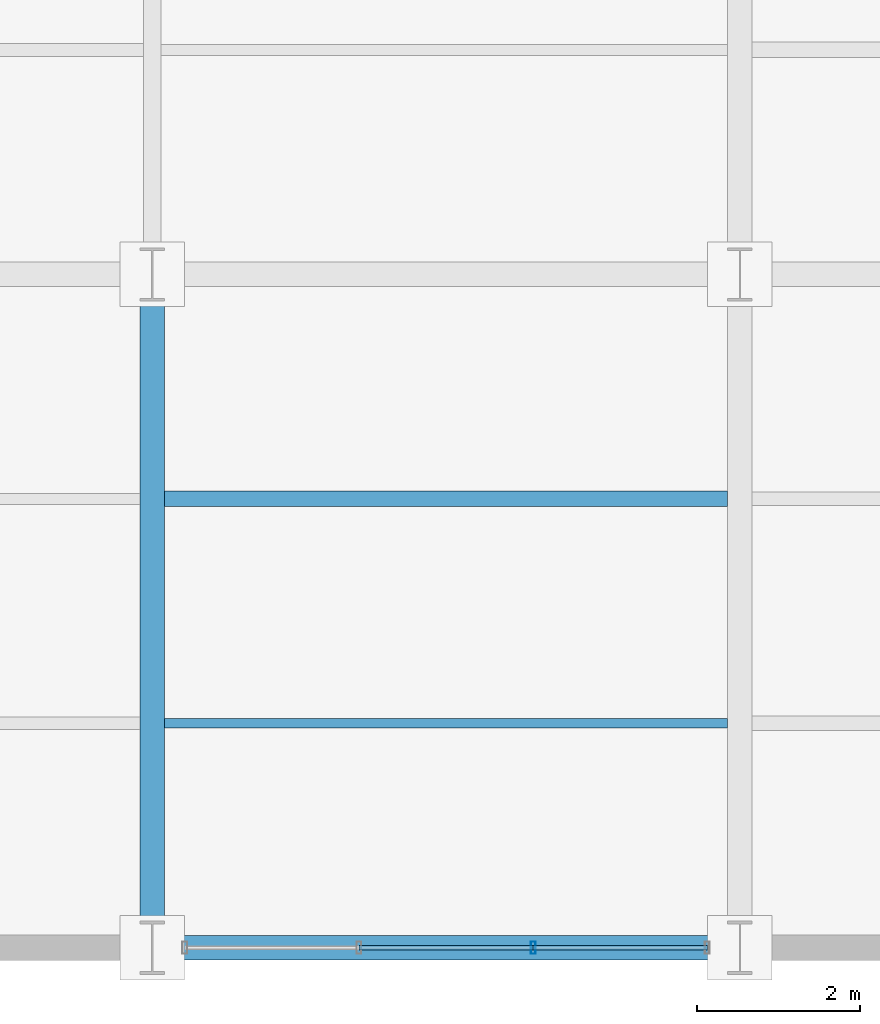
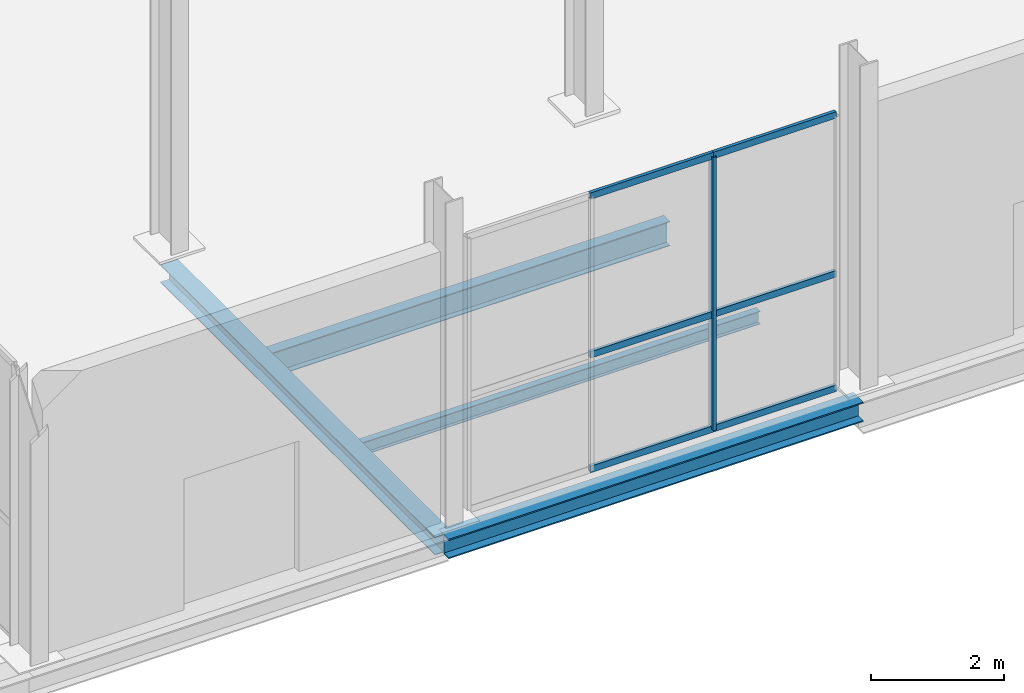
# One storey, part 25 of 144: 7 members, 4 beams, 1 element without a shape of its own.
"""IFC4 building model written with IfcOpenShell, lengths in metres."""

from ifc_helpers import new_model, si_unit, direction, frame, origin, origin_2d, place, context, subcontext, project, spatial, hollow_rectangle, i_section, extrude, material, layer, layer_set, material_profile, profile_set, type_object, element, aggregate, save


model = new_model("IFC4")

# Units and contexts
model_context = context("Model", 3, precision=1e-05, world=origin(), true_north=direction((0.0, 1.0)))
body_context = subcontext(model_context, "Body", "Model", "MODEL_VIEW")
ifc_project = project(units=[si_unit("LENGTHUNIT", "METRE"), si_unit("AREAUNIT", "SQUARE_METRE"), si_unit("VOLUMEUNIT", "CUBIC_METRE"), si_unit("PLANEANGLEUNIT", "RADIAN"), si_unit("MASSUNIT", "GRAM", prefix="KILO")], contexts=[model_context])

# Site, building, storey
site_placement = place(None, origin())
site = spatial("IfcSite", under=ifc_project, at=site_placement, CompositionType="ELEMENT")
building_placement = place(site_placement, origin())
building = spatial("IfcBuilding", under=site, at=building_placement, Name="Sundgate Opera House", CompositionType="ELEMENT")
storey_placement = place(building_placement, origin())
storey = spatial("IfcBuildingStorey", under=building, at=storey_placement, Name="L00", CompositionType="ELEMENT", Elevation=0.0)

# Beams
ifc_material_1 = material(Name="Steel S355J2", Category="steel")
ifc_material_profile_1 = material_profile(ifc_material_1, i_section(OverallWidth=0.300048828125, OverallDepth=0.330078125, WebThickness=0.009521484375, FlangeThickness=0.0166015625, at=origin_2d()), Name="HEA 340")
ifc_profile_set_1 = profile_set([ifc_material_profile_1], Name="Steel S355J2")
beam_type_1 = type_object("IfcBeamType", Name="BM-GR-HEA340", PredefinedType="BEAM", material=ifc_profile_set_1)
beam_1_placement = place(storey_placement, frame((102.60009765625, 0.0, -0.485107421875), z_axis=(0.0, 1.0, 0.0), x_axis=(-1.0, 0.0, 0.0)))
element("IfcBeam", 1, at=beam_1_placement, inside=storey, type_object=beam_type_1, Name="L00 Primary N-S Girder B0204", PredefinedType="BEAM", context=body_context, shape_type="SweptSolid", body=[
    extrude(i_section(OverallWidth=0.300048828125, OverallDepth=0.330078125, WebThickness=0.009521484375, FlangeThickness=0.0166015625, at=origin_2d()), origin(), (0.0, 0.0, 1.0), 8.25),
])
ifc_material_2 = material(Name="Steel S355J2", Category="steel")
ifc_material_profile_2 = material_profile(ifc_material_2, i_section(OverallWidth=0.300048828125, OverallDepth=0.360107421875, WebThickness=0.012451171875, FlangeThickness=0.0224609375, at=origin_2d()), Name="HEB 360")
ifc_profile_set_2 = profile_set([ifc_material_profile_2], Name="Steel S355J2")
beam_type_2 = type_object("IfcBeamType", Name="BM-GR-HEB360", PredefinedType="BEAM", material=ifc_profile_set_2)
beam_2_placement = place(storey_placement, frame((102.60009765625, 0.0, -0.5), z_axis=(1.0, 0.0, 0.0), x_axis=(0.0, 1.0, 0.0)))
element("IfcBeam", 2, at=beam_2_placement, inside=storey, type_object=beam_type_2, Name="L00 Primary E-W Girder B0329", PredefinedType="BEAM", context=body_context, shape_type="SweptSolid", body=[
    extrude(i_section(OverallWidth=0.300048828125, OverallDepth=0.360107421875, WebThickness=0.012451171875, FlangeThickness=0.0224609375, at=origin_2d()), origin(), (0.0, 0.0, 1.0), 7.199951171875),
])
ifc_material_3 = material(Name="Steel S355J2", Category="steel")
ifc_material_profile_3 = material_profile(ifc_material_3, i_section(OverallWidth=0.1201171875, OverallDepth=0.239990234375, WebThickness=0.006103515625, FlangeThickness=0.009765625, at=origin_2d()), Name="IPE 240")
ifc_profile_set_3 = profile_set([ifc_material_profile_3], Name="Steel S355J2")
beam_type_3 = type_object("IfcBeamType", Name="BM-JS-IPE240", PredefinedType="JOIST", material=ifc_profile_set_3)
beam_3_placement = place(storey_placement, frame((102.75, 2.75, -0.43994140625), z_axis=(1.0, 0.0, 0.0), x_axis=(0.0, 1.0, 0.0)))
element("IfcBeam", 3, at=beam_3_placement, inside=storey, type_object=beam_type_3, Name="L00 Secondary Floor Joist B0615", PredefinedType="JOIST", context=body_context, shape_type="SweptSolid", body=[
    extrude(i_section(OverallWidth=0.1201171875, OverallDepth=0.239990234375, WebThickness=0.006103515625, FlangeThickness=0.009765625, at=origin_2d()), origin(), (0.0, 0.0, 1.0), 6.89990234375),
])
ifc_material_4 = material(Name="Steel S355J2", Category="steel")
ifc_material_profile_4 = material_profile(ifc_material_4, i_section(OverallWidth=0.18994140625, OverallDepth=0.449951171875, WebThickness=0.009521484375, FlangeThickness=0.0146484375, at=origin_2d()), Name="IPE 450")
ifc_profile_set_4 = profile_set([ifc_material_profile_4], Name="Steel S355J2")
beam_type_4 = type_object("IfcBeamType", Name="BM-JS-IPE450", PredefinedType="JOIST", material=ifc_profile_set_4)
beam_4_placement = place(storey_placement, frame((102.75, 5.5, -0.544921875), z_axis=(1.0, 0.0, 0.0), x_axis=(0.0, 1.0, 0.0)))
element("IfcBeam", 4, at=beam_4_placement, inside=storey, type_object=beam_type_4, Name="L00 Secondary Floor Joist B0616", PredefinedType="JOIST", context=body_context, shape_type="SweptSolid", body=[
    extrude(i_section(OverallWidth=0.18994140625, OverallDepth=0.449951171875, WebThickness=0.009521484375, FlangeThickness=0.0146484375, at=origin_2d()), origin(), (0.0, 0.0, 1.0), 6.89990234375),
])

# Curtain wall, members
ifc_material_5 = material(Name="Anodized aluminium and low-iron glass", Category="aluminium")
ifc_layer = layer(ifc_material_5, 0.14990234375)
ifc_layer_set = layer_set([ifc_layer], Name="Anodized aluminium and low-iron glass")
curtain_wall_type = type_object("IfcCurtainWallType", Name="CW-WORKSHOP-DARK", PredefinedType="NOTDEFINED", material=ifc_layer_set)
curtain_wall_placement = place(storey_placement, origin())
curtain_wall = element("IfcCurtainWall", 5, at=curtain_wall_placement, inside=storey, type_object=curtain_wall_type, Name="L00 Curtain Wall CW122", PredefinedType="NOTDEFINED")
ifc_material_6 = material(Name="Anodized aluminium EN AW-6063", Category="aluminium")
ifc_material_profile_5 = material_profile(ifc_material_6, hollow_rectangle(XDim=0.06005859375, YDim=0.14990234375, WallThickness=0.00390625, at=origin_2d()), Name="CWM 150x60x4")
ifc_profile_set_5 = profile_set([ifc_material_profile_5], Name="Anodized aluminium EN AW-6063")
member_type_1 = type_object("IfcMemberType", Name="CWM-ALU-150x60", PredefinedType="MULLION", material=ifc_profile_set_5)
member_1_placement = place(storey_placement, frame((107.2666015625, 0.0, 0.0), z_axis=(0.0, 0.0, 1.0), x_axis=(1.0, 0.0, 0.0)))
member_1 = element("IfcMember", 6, at=member_1_placement, type_object=member_type_1, Name="CW122 Mullion 2", PredefinedType="MULLION", context=body_context, shape_type="SweptSolid", body=[
    extrude(hollow_rectangle(XDim=0.06005859375, YDim=0.14990234375, WallThickness=0.00390625, at=origin_2d()), origin(), (0.0, 0.0, 1.0), 5.014892578125),
])
ifc_material_7 = material(Name="Anodized aluminium EN AW-6063", Category="aluminium")
ifc_material_profile_6 = material_profile(ifc_material_7, hollow_rectangle(XDim=0.054931640625, YDim=0.1201171875, WallThickness=0.00390625, at=origin_2d()), Name="CWT 120x55x4")
ifc_profile_set_6 = profile_set([ifc_material_profile_6], Name="Anodized aluminium EN AW-6063")
member_type_2 = type_object("IfcMemberType", Name="CWT-ALU-120x55", PredefinedType="USERDEFINED", material=ifc_profile_set_6)
member_2_placement = place(storey_placement, frame((109.39990234375, 0.0, 0.0), z_axis=(-1.0, 0.0, 0.0), x_axis=(0.0, -1.0, 0.0)))
member_2 = element("IfcMember", 7, at=member_2_placement, type_object=member_type_2, Name="CW122 Transom 1", ObjectType="TRANSOM", PredefinedType="USERDEFINED", context=body_context, shape_type="SweptSolid", body=[
    extrude(hollow_rectangle(XDim=0.054931640625, YDim=0.1201171875, WallThickness=0.00390625, at=origin_2d()), origin(), (0.0, 0.0, 1.0), 2.13330078125),
])
member_3_placement = place(storey_placement, frame((109.39990234375, 0.0, 2.10009765625), z_axis=(-1.0, 0.0, 0.0), x_axis=(0.0, -1.0, 0.0)))
member_3 = element("IfcMember", 8, at=member_3_placement, type_object=member_type_2, Name="CW122 Transom 2", ObjectType="TRANSOM", PredefinedType="USERDEFINED", context=body_context, shape_type="SweptSolid", body=[
    extrude(hollow_rectangle(XDim=0.054931640625, YDim=0.1201171875, WallThickness=0.00390625, at=origin_2d()), origin(), (0.0, 0.0, 1.0), 2.13330078125),
])
member_4_placement = place(storey_placement, frame((109.39990234375, 0.0, 5.014892578125), z_axis=(-1.0, 0.0, 0.0), x_axis=(0.0, -1.0, 0.0)))
member_4 = element("IfcMember", 9, at=member_4_placement, type_object=member_type_2, Name="CW122 Transom 3", ObjectType="TRANSOM", PredefinedType="USERDEFINED", context=body_context, shape_type="SweptSolid", body=[
    extrude(hollow_rectangle(XDim=0.054931640625, YDim=0.1201171875, WallThickness=0.00390625, at=origin_2d()), origin(), (0.0, 0.0, 1.0), 2.13330078125),
])
member_5_placement = place(storey_placement, frame((107.2666015625, 0.0, 0.0), z_axis=(-1.0, 0.0, 0.0), x_axis=(0.0, -1.0, 0.0)))
member_5 = element("IfcMember", 10, at=member_5_placement, type_object=member_type_2, Name="CW122 Transom 4", ObjectType="TRANSOM", PredefinedType="USERDEFINED", context=body_context, shape_type="SweptSolid", body=[
    extrude(hollow_rectangle(XDim=0.054931640625, YDim=0.1201171875, WallThickness=0.00390625, at=origin_2d()), origin(), (0.0, 0.0, 1.0), 2.13330078125),
])
member_6_placement = place(storey_placement, frame((107.2666015625, 0.0, 2.10009765625), z_axis=(-1.0, 0.0, 0.0), x_axis=(0.0, -1.0, 0.0)))
member_6 = element("IfcMember", 11, at=member_6_placement, type_object=member_type_2, Name="CW122 Transom 5", ObjectType="TRANSOM", PredefinedType="USERDEFINED", context=body_context, shape_type="SweptSolid", body=[
    extrude(hollow_rectangle(XDim=0.054931640625, YDim=0.1201171875, WallThickness=0.00390625, at=origin_2d()), origin(), (0.0, 0.0, 1.0), 2.13330078125),
])
member_7_placement = place(storey_placement, frame((107.2666015625, 0.0, 5.014892578125), z_axis=(-1.0, 0.0, 0.0), x_axis=(0.0, -1.0, 0.0)))
member_7 = element("IfcMember", 12, at=member_7_placement, type_object=member_type_2, Name="CW122 Transom 6", ObjectType="TRANSOM", PredefinedType="USERDEFINED", context=body_context, shape_type="SweptSolid", body=[
    extrude(hollow_rectangle(XDim=0.054931640625, YDim=0.1201171875, WallThickness=0.00390625, at=origin_2d()), origin(), (0.0, 0.0, 1.0), 2.13330078125),
])
aggregate(curtain_wall, [member_1, member_2, member_3, member_4, member_5, member_6, member_7])

save(model, "model.ifc")
